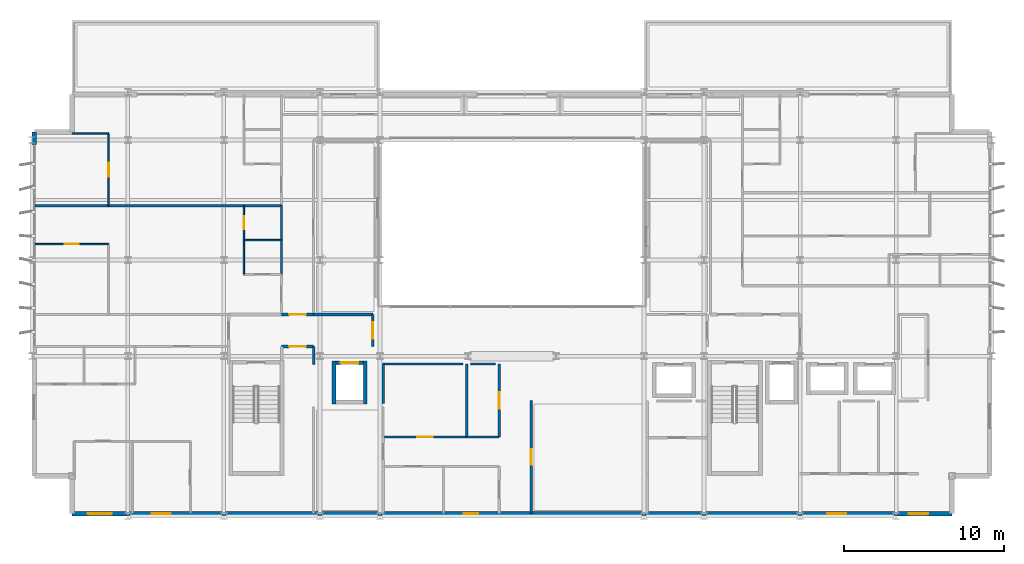
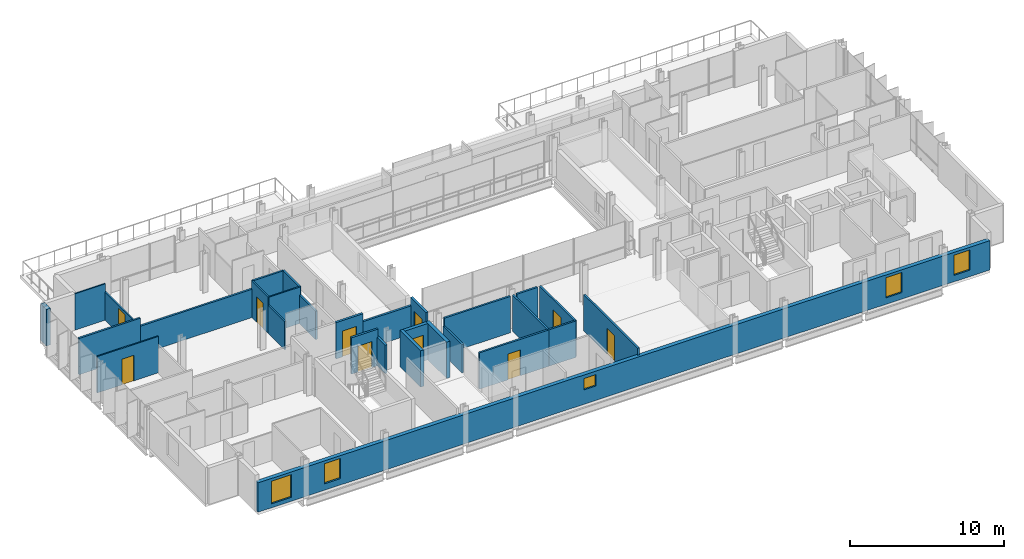
# One storey, part 29 of 38: 29 walls, 10 doors, 5 windows, 15 openings.
"""IFC4 building model written with IfcOpenShell, lengths in metres."""

from ifc_helpers import new_model, si_unit, direction, frame, frame_2d, origin, place, context, subcontext, project, spatial, rectangle, extrude, material, layer, layer_set, type_object, element, fill, save


model = new_model("IFC4")

# Units and contexts
model_context = context("Model", 3, precision=1e-05, world=origin(), true_north=direction((0.0, 1.0)))
body_context = subcontext(model_context, "Body", "Model", "MODEL_VIEW")
ifc_project = project(units=[si_unit("LENGTHUNIT", "METRE"), si_unit("AREAUNIT", "SQUARE_METRE"), si_unit("VOLUMEUNIT", "CUBIC_METRE"), si_unit("PLANEANGLEUNIT", "RADIAN"), si_unit("MASSUNIT", "GRAM", prefix="KILO")], contexts=[model_context])

# Site, building, storey
site_placement = place(None, origin())
site = spatial("IfcSite", under=ifc_project, at=site_placement, CompositionType="ELEMENT")
building_placement = place(site_placement, origin())
building = spatial("IfcBuilding", under=site, at=building_placement, Name="Brevholm Reach", CompositionType="ELEMENT")
storey_placement = place(building_placement, frame((0.0, 0.0, 172.800048828125)))
storey = spatial("IfcBuildingStorey", under=building, at=storey_placement, Name="L52", CompositionType="ELEMENT", Elevation=172.800048828125)

# Walls
ifc_material_1 = material(Name="Concrete C45/55", Category="concrete")
ifc_layer_1 = layer(ifc_material_1, 0.239990234375)
ifc_layer_set_1 = layer_set([ifc_layer_1], Name="Concrete C45/55")
wall_type_1 = type_object("IfcWallType", Name="WAL-COR-240", PredefinedType="SHEAR", material=ifc_layer_set_1)
for number, where, z_axis, x_axis, name in (
    (1, (18.8701171875, 7.0, 0.0), (0.0, 0.0, 1.0), (0.0, 1.0, 0.0), "L52 Lift FFL-1 Shaft Wall W"),
    (2, (20.830078125, 7.0, 0.0), (0.0, 0.0, 1.0), (0.0, 1.0, 0.0), "L52 Lift FFL-1 Shaft Wall E"),
):
    element("IfcWall", number, at=place(storey_placement, frame(where, z_axis=z_axis, x_axis=x_axis)), inside=storey, type_object=wall_type_1, Name=name, PredefinedType="SHEAR", context=body_context, shape_type="SweptSolid", body=[
        extrude(rectangle(XDim=2.699951171875, YDim=0.239990234375, at=frame_2d((1.35009765625, 0.0))), origin(), (0.0, 0.0, 1.0), 2.889892578125),
    ])

# Wall, opening, door
wall_1_placement = place(storey_placement, frame((18.989990234375, 9.580078125, 0.0), z_axis=(0.0, 0.0, 1.0), x_axis=(1.0, 0.0, 0.0)))
wall_1 = element("IfcWall", 3, at=wall_1_placement, inside=storey, type_object=wall_type_1, Name="L52 Lift FFL-1 Shaft Wall N", PredefinedType="SHEAR", context=body_context, shape_type="SweptSolid", body=[
    extrude(rectangle(XDim=1.719970703125, YDim=0.239990234375, at=frame_2d((0.85986328125, 0.0))), origin(), (0.0, 0.0, 1.0), 2.889892578125),
])
opening_1_placement = place(wall_1_placement, frame((0.31005859375, 0.0, 0.0)))
opening_1 = element("IfcOpeningElement", 4, at=opening_1_placement, cuts=wall_1, Name="Opening LD-FFL-1", PredefinedType="OPENING", context=body_context, shape_type="SweptSolid", body=[
    extrude(rectangle(XDim=1.10009765625, YDim=2.06005859375, at=frame_2d((0.550048828125, 1.030029296875))), frame((0.0, 0.1298828125, 0.0), z_axis=(0.0, -1.0, 0.0), x_axis=(1.0, 0.0, 0.0)), (0.0, 0.0, 1.0), 0.260009765625),
])
ifc_material_2 = material(Name="Brushed Stainless Steel Fire-Rated Sliding Lift Door", Category="steel")
door_type_1 = type_object("IfcDoorType", Name="DOR-LFT-1100", OperationType="NOTDEFINED", PredefinedType="DOOR", material=ifc_material_2)
door_1_placement = place(opening_1_placement, origin())
door_1 = element("IfcDoor", 5, at=door_1_placement, inside=storey, type_object=door_type_1, Name="L52 Lift FFL-1 Sliding Landing Door", OperationType="SLIDING_TO_RIGHT", OverallHeight=2.06005859375, OverallWidth=1.10009765625, PredefinedType="DOOR", context=body_context, shape_type="SweptSolid", body=[
    extrude(rectangle(XDim=1.10009765625, YDim=2.06005859375, at=frame_2d((0.550048828125, 1.030029296875))), frame((0.0, 0.02490234375, 0.0), z_axis=(0.0, -1.0, 0.0), x_axis=(1.0, 0.0, 0.0)), (0.0, 0.0, 1.0), 0.050048828125),
])
fill(opening_1, door_1)

# Wall, openings, windows
ifc_material_3 = material(Name="Concrete C40/50", Category="concrete")
ifc_layer_2 = layer(ifc_material_3, 0.300048828125)
ifc_layer_set_2 = layer_set([ifc_layer_2], Name="Concrete C40/50")
wall_type_2 = type_object("IfcWallType", Name="WAL-EXT-300", PredefinedType="STANDARD", material=ifc_layer_set_2)
wall_2_placement = place(storey_placement, frame((2.5, 0.14990234375, 0.0), z_axis=(0.0, 0.0, 1.0), x_axis=(1.0, 0.0, 0.0)))
wall_2 = element("IfcWall", 6, at=wall_2_placement, inside=storey, type_object=wall_type_2, Name="L52 Facade Wall WAL-L52-S", PredefinedType="STANDARD", context=body_context, shape_type="SweptSolid", body=[
    extrude(rectangle(XDim=55.0, YDim=0.300048828125, at=frame_2d((27.5, 0.0))), origin(), (0.0, 0.0, 1.0), 2.331787109375),
])
opening_2_placement = place(wall_2_placement, frame((1.0, 0.0, 0.31201171875)))
opening_2 = element("IfcOpeningElement", 7, at=opening_2_placement, cuts=wall_2, Name="Opening WN-05", PredefinedType="OPENING", context=body_context, shape_type="SweptSolid", body=[
    extrude(rectangle(XDim=1.5, YDim=1.800048828125, at=frame_2d((0.75, 0.89990234375))), frame((0.0, 0.159912109375, 0.0), z_axis=(0.0, -1.0, 0.0), x_axis=(1.0, 0.0, 0.0)), (0.0, 0.0, 1.0), 0.320068359375),
])
opening_3_placement = place(wall_2_placement, frame((24.5, 0.0, 1.14990234375)))
opening_3 = element("IfcOpeningElement", 8, at=opening_3_placement, cuts=wall_2, Name="Opening WN-09", PredefinedType="OPENING", context=body_context, shape_type="SweptSolid", body=[
    extrude(rectangle(XDim=0.89990234375, YDim=0.89990234375, at=frame_2d((0.449951171875, 0.449951171875))), frame((0.0, 0.159912109375, 0.0), z_axis=(0.0, -1.0, 0.0), x_axis=(1.0, 0.0, 0.0)), (0.0, 0.0, 1.0), 0.320068359375),
])
opening_4_placement = place(wall_2_placement, frame((47.199951171875, 0.0, 0.511962890625)))
opening_4 = element("IfcOpeningElement", 9, at=opening_4_placement, cuts=wall_2, Name="Opening WN-08", PredefinedType="OPENING", context=body_context, shape_type="SweptSolid", body=[
    extrude(rectangle(XDim=1.199951171875, YDim=1.60009765625, at=frame_2d((0.60009765625, 0.800048828125))), frame((0.0, 0.159912109375, 0.0), z_axis=(0.0, -1.0, 0.0), x_axis=(1.0, 0.0, 0.0)), (0.0, 0.0, 1.0), 0.320068359375),
])
opening_5_placement = place(wall_2_placement, frame((52.300048828125, 0.0, 0.511962890625)))
opening_5 = element("IfcOpeningElement", 10, at=opening_5_placement, cuts=wall_2, Name="Opening WN-08", PredefinedType="OPENING", context=body_context, shape_type="SweptSolid", body=[
    extrude(rectangle(XDim=1.199951171875, YDim=1.60009765625, at=frame_2d((0.60009765625, 0.800048828125))), frame((0.0, 0.159912109375, 0.0), z_axis=(0.0, -1.0, 0.0), x_axis=(1.0, 0.0, 0.0)), (0.0, 0.0, 1.0), 0.320068359375),
])
opening_6_placement = place(wall_2_placement, frame((4.987548828125, 0.0, 0.511962890625)))
opening_6 = element("IfcOpeningElement", 11, at=opening_6_placement, cuts=wall_2, Name="Opening WN-08", PredefinedType="OPENING", context=body_context, shape_type="SweptSolid", body=[
    extrude(rectangle(XDim=1.199951171875, YDim=1.60009765625, at=frame_2d((0.60009765625, 0.800048828125))), frame((0.0, 0.159912109375, 0.0), z_axis=(0.0, -1.0, 0.0), x_axis=(1.0, 0.0, 0.0)), (0.0, 0.0, 1.0), 0.320068359375),
])
ifc_material_4 = material(Name="Dark Anodised Aluminium and Solar-Control IGU Glass", Category="aluminium")
window_type_1 = type_object("IfcWindowType", Name="WIN-POR-0900", PartitioningType="SINGLE_PANEL", PredefinedType="WINDOW", material=ifc_material_4)
window_1_placement = place(opening_3_placement, origin())
window_1 = element("IfcWindow", 12, at=window_1_placement, inside=storey, type_object=window_type_1, Name="L52 Window WIN-L52-S-POR", OverallHeight=0.89990234375, OverallWidth=0.89990234375, PartitioningType="SINGLE_PANEL", PredefinedType="WINDOW", context=body_context, shape_type="SweptSolid", body=[
    extrude(rectangle(XDim=0.89990234375, YDim=0.89990234375, at=frame_2d((0.449951171875, 0.449951171875))), frame((0.0, 0.030029296875, 0.0), z_axis=(0.0, -1.0, 0.0), x_axis=(1.0, 0.0, 0.0)), (0.0, 0.0, 1.0), 0.06005859375),
])
fill(opening_3, window_1)
ifc_material_5 = material(Name="Dark Anodised Aluminium and Solar-Control IGU Glass", Category="aluminium")
window_type_2 = type_object("IfcWindowType", Name="WIN-RES-1200", PartitioningType="SINGLE_PANEL", PredefinedType="WINDOW", material=ifc_material_5)
window_2_placement = place(opening_4_placement, origin())
window_2 = element("IfcWindow", 13, at=window_2_placement, inside=storey, type_object=window_type_2, Name="L52 Window WIN-L52-S-E1", OverallHeight=1.60009765625, OverallWidth=1.199951171875, PartitioningType="SINGLE_PANEL", PredefinedType="WINDOW", context=body_context, shape_type="SweptSolid", body=[
    extrude(rectangle(XDim=1.199951171875, YDim=1.60009765625, at=frame_2d((0.60009765625, 0.800048828125))), frame((0.0, 0.030029296875, 0.0), z_axis=(0.0, -1.0, 0.0), x_axis=(1.0, 0.0, 0.0)), (0.0, 0.0, 1.0), 0.06005859375),
])
fill(opening_4, window_2)
window_3_placement = place(opening_5_placement, origin())
window_3 = element("IfcWindow", 14, at=window_3_placement, inside=storey, type_object=window_type_2, Name="L52 Window WIN-L52-S-E2", OverallHeight=1.60009765625, OverallWidth=1.199951171875, PartitioningType="SINGLE_PANEL", PredefinedType="WINDOW", context=body_context, shape_type="SweptSolid", body=[
    extrude(rectangle(XDim=1.199951171875, YDim=1.60009765625, at=frame_2d((0.60009765625, 0.800048828125))), frame((0.0, 0.030029296875, 0.0), z_axis=(0.0, -1.0, 0.0), x_axis=(1.0, 0.0, 0.0)), (0.0, 0.0, 1.0), 0.06005859375),
])
fill(opening_5, window_3)
window_4_placement = place(opening_6_placement, origin())
window_4 = element("IfcWindow", 15, at=window_4_placement, inside=storey, type_object=window_type_2, Name="L52 Bedroom Window 051", OverallHeight=1.60009765625, OverallWidth=1.199951171875, PartitioningType="SINGLE_PANEL", PredefinedType="WINDOW", context=body_context, shape_type="SweptSolid", body=[
    extrude(rectangle(XDim=1.199951171875, YDim=1.60009765625, at=frame_2d((0.60009765625, 0.800048828125))), frame((0.0, 0.030029296875, 0.0), z_axis=(0.0, -1.0, 0.0), x_axis=(1.0, 0.0, 0.0)), (0.0, 0.0, 1.0), 0.06005859375),
])
fill(opening_6, window_4)
ifc_material_6 = material(Name="Dark Anodised Aluminium and Solar-Control IGU Glass", Category="aluminium")
window_type_3 = type_object("IfcWindowType", Name="WIN-RES-1500", PartitioningType="SINGLE_PANEL", PredefinedType="WINDOW", material=ifc_material_6)
window_5_placement = place(opening_2_placement, origin())
window_5 = element("IfcWindow", 16, at=window_5_placement, inside=storey, type_object=window_type_3, Name="L52 Window WIN-L52-S-W1", OverallHeight=1.800048828125, OverallWidth=1.5, PartitioningType="SINGLE_PANEL", PredefinedType="WINDOW", context=body_context, shape_type="SweptSolid", body=[
    extrude(rectangle(XDim=1.5, YDim=1.800048828125, at=frame_2d((0.75, 0.89990234375))), frame((0.0, 0.030029296875, 0.0), z_axis=(0.0, -1.0, 0.0), x_axis=(1.0, 0.0, 0.0)), (0.0, 0.0, 1.0), 0.06005859375),
])
fill(opening_2, window_5)

# Walls
wall_3_placement = place(storey_placement, frame((0.14990234375, 24.0, 0.0), z_axis=(0.0, 0.0, 1.0), x_axis=(0.0, -1.0, 0.0)))
element("IfcWall", 17, at=wall_3_placement, inside=storey, type_object=wall_type_2, Name="L52 Facade Wall WAL-L52-W-N", PredefinedType="STANDARD", context=body_context, shape_type="SweptSolid", body=[
    extrude(rectangle(XDim=0.780029296875, YDim=0.300048828125, at=frame_2d((0.39013671875, 0.0))), origin(), (0.0, 0.0, 1.0), 2.889892578125),
])
ifc_material_7 = material(Name="Moisture-Resistant Acoustic Gypsum Stud Partition 100 mm", Category="gypsum")
ifc_layer_3 = layer(ifc_material_7, 0.10009765625)
ifc_layer_set_3 = layer_set([ifc_layer_3], Name="Moisture-Resistant Acoustic Gypsum Stud Partition 100 mm")
wall_type_3 = type_object("IfcWallType", Name="WAL-PRT-100", PredefinedType="PARTITIONING", material=ifc_layer_set_3)
wall_4_placement = place(storey_placement, frame((13.25, 17.25, 0.0), z_axis=(0.0, 0.0, 1.0), x_axis=(1.0, 0.0, 0.0)))
element("IfcWall", 18, at=wall_4_placement, inside=storey, type_object=wall_type_3, Name="L52 Internal Partition 069", PredefinedType="PARTITIONING", context=body_context, shape_type="SweptSolid", body=[
    extrude(rectangle(XDim=2.345947265625, YDim=0.10009765625, at=frame_2d((1.1728515625, 0.0))), origin(), (0.0, 0.0, 1.0), 2.889892578125),
])

# Wall, opening, door
wall_5_placement = place(storey_placement, frame((13.25, 17.25, 0.0), z_axis=(0.0, 0.0, 1.0), x_axis=(0.0, 1.0, 0.0)))
wall_5 = element("IfcWall", 19, at=wall_5_placement, inside=storey, type_object=wall_type_3, Name="L52 Internal Partition 070", PredefinedType="PARTITIONING", context=body_context, shape_type="SweptSolid", body=[
    extrude(rectangle(XDim=2.14990234375, YDim=0.10009765625, at=frame_2d((1.074951171875, 0.0))), origin(), (0.0, 0.0, 1.0), 2.889892578125),
])
opening_7_placement = place(wall_5_placement, frame((0.6650390625, 0.0, 0.0)))
opening_7 = element("IfcOpeningElement", 20, at=opening_7_placement, cuts=wall_5, Name="Opening ID-03", PredefinedType="OPENING", context=body_context, shape_type="SweptSolid", body=[
    extrude(rectangle(XDim=0.820068359375, YDim=2.02001953125, at=frame_2d((0.41015625, 1.010009765625))), frame((0.0, 0.06005859375, 0.0), z_axis=(0.0, -1.0, 0.0), x_axis=(1.0, 0.0, 0.0)), (0.0, 0.0, 1.0), 0.1201171875),
])
ifc_material_8 = material(Name="Moisture-Resistant Painted Timber Internal Bathroom Door", Category="wood")
door_type_2 = type_object("IfcDoorType", Name="DOR-BATH-820", OperationType="NOTDEFINED", PredefinedType="DOOR", material=ifc_material_8)
door_2_placement = place(opening_7_placement, origin())
door_2 = element("IfcDoor", 21, at=door_2_placement, inside=storey, type_object=door_type_2, Name="L52 Internal Door 031", OperationType="SINGLE_SWING_RIGHT", OverallHeight=2.02001953125, OverallWidth=0.820068359375, PredefinedType="DOOR", context=body_context, shape_type="SweptSolid", body=[
    extrude(rectangle(XDim=0.820068359375, YDim=2.02001953125, at=frame_2d((0.41015625, 1.010009765625))), frame((0.0, 0.02490234375, 0.0), z_axis=(0.0, -1.0, 0.0), x_axis=(1.0, 0.0, 0.0)), (0.0, 0.0, 1.0), 0.050048828125),
])
fill(opening_7, door_2)

# Wall
wall_6_placement = place(storey_placement, frame((13.25, 15.10009765625, 0.0), z_axis=(0.0, 0.0, 1.0), x_axis=(0.0, 1.0, 0.0)))
element("IfcWall", 22, at=wall_6_placement, inside=storey, type_object=wall_type_3, Name="L52 Internal Partition 073", PredefinedType="PARTITIONING", context=body_context, shape_type="SweptSolid", body=[
    extrude(rectangle(XDim=2.14599609375, YDim=0.10009765625, at=frame_2d((1.072998046875, 0.0))), origin(), (0.0, 0.0, 1.0), 2.252685546875),
])

# Wall, opening, door
wall_7_placement = place(storey_placement, frame((0.199951171875, 17.0, 0.0), z_axis=(0.0, 0.0, 1.0), x_axis=(1.0, 0.0, 0.0)))
wall_7 = element("IfcWall", 23, at=wall_7_placement, inside=storey, type_object=wall_type_3, Name="L52 Internal Partition 075", PredefinedType="PARTITIONING", context=body_context, shape_type="SweptSolid", body=[
    extrude(rectangle(XDim=4.60009765625, YDim=0.10009765625, at=frame_2d((2.300048828125, 0.0))), origin(), (0.0, 0.0, 1.0), 2.889892578125),
])
opening_8_placement = place(wall_7_placement, frame((1.860107421875, 0.0, 0.0)))
opening_8 = element("IfcOpeningElement", 24, at=opening_8_placement, cuts=wall_7, Name="Opening ID-01", PredefinedType="OPENING", context=body_context, shape_type="SweptSolid", body=[
    extrude(rectangle(XDim=0.8798828125, YDim=2.0400390625, at=frame_2d((0.43994140625, 1.02001953125))), frame((0.0, 0.06005859375, 0.0), z_axis=(0.0, -1.0, 0.0), x_axis=(1.0, 0.0, 0.0)), (0.0, 0.0, 1.0), 0.1201171875),
])
ifc_material_9 = material(Name="Lacquered Ash Solid-Core Acoustic Internal Door", Category="timber")
door_type_3 = type_object("IfcDoorType", Name="DOR-INT-880", OperationType="NOTDEFINED", PredefinedType="DOOR", material=ifc_material_9)
door_3_placement = place(opening_8_placement, origin())
door_3 = element("IfcDoor", 25, at=door_3_placement, inside=storey, type_object=door_type_3, Name="L52 Internal Door 033", OperationType="SINGLE_SWING_RIGHT", OverallHeight=2.0400390625, OverallWidth=0.8798828125, PredefinedType="DOOR", context=body_context, shape_type="SweptSolid", body=[
    extrude(rectangle(XDim=0.8798828125, YDim=2.0400390625, at=frame_2d((0.43994140625, 1.02001953125))), frame((0.0, 0.02490234375, 0.0), z_axis=(0.0, -1.0, 0.0), x_axis=(1.0, 0.0, 0.0)), (0.0, 0.0, 1.0), 0.050048828125),
])
fill(opening_8, door_3)

# Wall
wall_8_placement = place(storey_placement, frame((2.52001953125, 23.89990234375, 0.0), z_axis=(0.0, 0.0, 1.0), x_axis=(1.0, 0.0, 0.0)))
element("IfcWall", 26, at=wall_8_placement, inside=storey, type_object=wall_type_3, Name="L52 Internal Partition 085", PredefinedType="PARTITIONING", context=body_context, shape_type="SweptSolid", body=[
    extrude(rectangle(XDim=2.280029296875, YDim=0.10009765625, at=frame_2d((1.14013671875, 0.0))), origin(), (0.0, 0.0, 1.0), 2.889892578125),
])

# Wall, opening, door
wall_9_placement = place(storey_placement, frame((4.800048828125, 19.404052734375, 0.0), z_axis=(0.0, 0.0, 1.0), x_axis=(0.0, 1.0, 0.0)))
wall_9 = element("IfcWall", 27, at=wall_9_placement, inside=storey, type_object=wall_type_3, Name="L52 Internal Partition 086", PredefinedType="PARTITIONING", context=body_context, shape_type="SweptSolid", body=[
    extrude(rectangle(XDim=4.495849609375, YDim=0.10009765625, at=frame_2d((2.248046875, 0.0))), origin(), (0.0, 0.0, 1.0), 2.252685546875),
])
opening_9_placement = place(wall_9_placement, frame((1.80810546875, 0.0, 0.0)))
opening_9 = element("IfcOpeningElement", 28, at=opening_9_placement, cuts=wall_9, Name="Opening ID-01", PredefinedType="OPENING", context=body_context, shape_type="SweptSolid", body=[
    extrude(rectangle(XDim=0.8798828125, YDim=2.0400390625, at=frame_2d((0.43994140625, 1.02001953125))), frame((0.0, 0.06005859375, 0.0), z_axis=(0.0, -1.0, 0.0), x_axis=(1.0, 0.0, 0.0)), (0.0, 0.0, 1.0), 0.1201171875),
])
door_4_placement = place(opening_9_placement, origin())
door_4 = element("IfcDoor", 29, at=door_4_placement, inside=storey, type_object=door_type_3, Name="L52 Internal Door 036", OperationType="SINGLE_SWING_LEFT", OverallHeight=2.0400390625, OverallWidth=0.8798828125, PredefinedType="DOOR", context=body_context, shape_type="SweptSolid", body=[
    extrude(rectangle(XDim=0.8798828125, YDim=2.0400390625, at=frame_2d((0.43994140625, 1.02001953125))), frame((0.0, 0.02490234375, 0.0), z_axis=(0.0, -1.0, 0.0), x_axis=(1.0, 0.0, 0.0)), (0.0, 0.0, 1.0), 0.050048828125),
])
fill(opening_9, door_4)

ifc_material_10 = material(Name="Twin-Stud Acoustic Fire-Rated Gypsum Partition 140 mm", Category="gypsum")
ifc_layer_4 = layer(ifc_material_10, 0.139892578125)
ifc_layer_set_4 = layer_set([ifc_layer_4], Name="Twin-Stud Acoustic Fire-Rated Gypsum Partition 140 mm")
wall_type_4 = type_object("IfcWallType", Name="WAL-PRT-140", PredefinedType="PARTITIONING", material=ifc_layer_set_4)
wall_10_placement = place(storey_placement, frame((29.199951171875, 4.942626953125, 0.0), z_axis=(0.0, 0.0, 1.0), x_axis=(0.0, 1.0, 0.0)))
wall_10 = element("IfcWall", 30, at=wall_10_placement, inside=storey, type_object=wall_type_4, Name="L52 Internal Partition 002", PredefinedType="PARTITIONING", context=body_context, shape_type="SweptSolid", body=[
    extrude(rectangle(XDim=4.568603515625, YDim=0.139892578125, at=frame_2d((2.2841796875, 0.0))), origin(), (0.0, 0.0, 1.0), 2.889892578125),
])
opening_10_placement = place(wall_10_placement, frame((1.75927734375, 0.0, 0.0)))
opening_10 = element("IfcOpeningElement", 31, at=opening_10_placement, cuts=wall_10, Name="Opening FD-01", PredefinedType="OPENING", context=body_context, shape_type="SweptSolid", body=[
    extrude(rectangle(XDim=1.050048828125, YDim=2.06005859375, at=frame_2d((0.52490234375, 1.030029296875))), frame((0.0, 0.079833984375, 0.0), z_axis=(0.0, -1.0, 0.0), x_axis=(1.0, 0.0, 0.0)), (0.0, 0.0, 1.0), 0.159912109375),
])
ifc_material_11 = material(Name="Hardwood-Lipped Steel-Core Fire and Smoke Door", Category="steel")
door_type_4 = type_object("IfcDoorType", Name="DOR-INT-FD60S", OperationType="NOTDEFINED", PredefinedType="DOOR", material=ifc_material_11)
door_5_placement = place(opening_10_placement, origin())
door_5 = element("IfcDoor", 32, at=door_5_placement, inside=storey, type_object=door_type_4, Name="L52 Internal Door 002", OperationType="SINGLE_SWING_LEFT", OverallHeight=2.06005859375, OverallWidth=1.050048828125, PredefinedType="DOOR", context=body_context, shape_type="SweptSolid", body=[
    extrude(rectangle(XDim=1.050048828125, YDim=2.06005859375, at=frame_2d((0.52490234375, 1.030029296875))), frame((0.0, 0.02490234375, 0.0), z_axis=(0.0, -1.0, 0.0), x_axis=(1.0, 0.0, 0.0)), (0.0, 0.0, 1.0), 0.050048828125),
])
fill(opening_10, door_5)

wall_11_placement = place(storey_placement, frame((31.199951171875, 0.179931640625, 0.0), z_axis=(0.0, 0.0, 1.0), x_axis=(0.0, 1.0, 0.0)))
wall_11 = element("IfcWall", 33, at=wall_11_placement, inside=storey, type_object=wall_type_4, Name="L52 Internal Partition 003", PredefinedType="PARTITIONING", context=body_context, shape_type="SweptSolid", body=[
    extrude(rectangle(XDim=7.03125, YDim=0.139892578125, at=frame_2d((3.515625, 0.0))), origin(), (0.0, 0.0, 1.0), 2.889892578125),
])
opening_11_placement = place(wall_11_placement, frame((3.04052734375, 0.0, 0.0)))
opening_11 = element("IfcOpeningElement", 34, at=opening_11_placement, cuts=wall_11, Name="Opening ID-30", PredefinedType="OPENING", context=body_context, shape_type="SweptSolid", body=[
    extrude(rectangle(XDim=0.949951171875, YDim=2.050048828125, at=frame_2d((0.47509765625, 1.02490234375))), frame((0.0, 0.079833984375, 0.0), z_axis=(0.0, -1.0, 0.0), x_axis=(1.0, 0.0, 0.0)), (0.0, 0.0, 1.0), 0.159912109375),
])
ifc_material_12 = material(Name="European Oak Veneered Solid-Core Fire Entrance Door", Category="timber")
door_type_5 = type_object("IfcDoorType", Name="DOR-FLT-FD30S", OperationType="NOTDEFINED", PredefinedType="DOOR", material=ifc_material_12)
door_6_placement = place(opening_11_placement, origin())
door_6 = element("IfcDoor", 35, at=door_6_placement, inside=storey, type_object=door_type_5, Name="L52 Internal Door 003", OperationType="SINGLE_SWING_RIGHT", OverallHeight=2.050048828125, OverallWidth=0.949951171875, PredefinedType="DOOR", context=body_context, shape_type="SweptSolid", body=[
    extrude(rectangle(XDim=0.949951171875, YDim=2.050048828125, at=frame_2d((0.47509765625, 1.02490234375))), frame((0.0, 0.02490234375, 0.0), z_axis=(0.0, -1.0, 0.0), x_axis=(1.0, 0.0, 0.0)), (0.0, 0.0, 1.0), 0.050048828125),
])
fill(opening_11, door_6)

wall_12_placement = place(storey_placement, frame((21.949951171875, 4.949951171875, 0.0), z_axis=(0.0, 0.0, 1.0), x_axis=(1.0, 0.0, 0.0)))
wall_12 = element("IfcWall", 36, at=wall_12_placement, inside=storey, type_object=wall_type_4, Name="L52 Internal Partition 006", PredefinedType="PARTITIONING", context=body_context, shape_type="SweptSolid", body=[
    extrude(rectangle(XDim=5.2314453125, YDim=0.139892578125, at=frame_2d((2.61572265625, 0.0))), origin(), (0.0, 0.0, 1.0), 2.889892578125),
])
opening_12_placement = place(wall_12_placement, frame((2.140625, 0.0, 0.0)))
opening_12 = element("IfcOpeningElement", 37, at=opening_12_placement, cuts=wall_12, Name="Opening ID-30", PredefinedType="OPENING", context=body_context, shape_type="SweptSolid", body=[
    extrude(rectangle(XDim=0.949951171875, YDim=2.050048828125, at=frame_2d((0.47509765625, 1.02490234375))), frame((0.0, 0.079833984375, 0.0), z_axis=(0.0, -1.0, 0.0), x_axis=(1.0, 0.0, 0.0)), (0.0, 0.0, 1.0), 0.159912109375),
])
door_7_placement = place(opening_12_placement, origin())
door_7 = element("IfcDoor", 38, at=door_7_placement, inside=storey, type_object=door_type_5, Name="L52 Internal Door 005", OperationType="SINGLE_SWING_RIGHT", OverallHeight=2.050048828125, OverallWidth=0.949951171875, PredefinedType="DOOR", context=body_context, shape_type="SweptSolid", body=[
    extrude(rectangle(XDim=0.949951171875, YDim=2.050048828125, at=frame_2d((0.47509765625, 1.02490234375))), frame((0.0, 0.02490234375, 0.0), z_axis=(0.0, -1.0, 0.0), x_axis=(1.0, 0.0, 0.0)), (0.0, 0.0, 1.0), 0.050048828125),
])
fill(opening_12, door_7)

# Walls
wall_13_placement = place(storey_placement, frame((27.16259765625, 4.949951171875, 0.0), z_axis=(0.0, 0.0, 1.0), x_axis=(1.0, 0.0, 0.0)))
element("IfcWall", 39, at=wall_13_placement, inside=storey, type_object=wall_type_4, Name="L52 Internal Partition 007", PredefinedType="PARTITIONING", context=body_context, shape_type="SweptSolid", body=[
    extrude(rectangle(XDim=2.033447265625, YDim=0.139892578125, at=frame_2d((1.0166015625, 0.0))), origin(), (0.0, 0.0, 1.0), 2.889892578125),
])
wall_14_placement = place(storey_placement, frame((27.169921875, 4.9541015625, 0.0), z_axis=(0.0, 0.0, 1.0), x_axis=(0.0, 1.0, 0.0)))
element("IfcWall", 40, at=wall_14_placement, inside=storey, type_object=wall_type_4, Name="L52 Internal Partition 011", PredefinedType="PARTITIONING", context=body_context, shape_type="SweptSolid", body=[
    extrude(rectangle(XDim=4.5458984375, YDim=0.139892578125, at=frame_2d((2.27294921875, 0.0))), origin(), (0.0, 0.0, 1.0), 2.889892578125),
])
wall_15_placement = place(storey_placement, frame((15.60009765625, 17.23876953125, 0.0), z_axis=(0.0, 0.0, 1.0), x_axis=(0.0, 1.0, 0.0)))
element("IfcWall", 41, at=wall_15_placement, inside=storey, type_object=wall_type_4, Name="L52 Internal Partition 041", PredefinedType="PARTITIONING", context=body_context, shape_type="SweptSolid", body=[
    extrude(rectangle(XDim=2.172607421875, YDim=0.139892578125, at=frame_2d((1.08642578125, 0.0))), origin(), (0.0, 0.0, 1.0), 2.889892578125),
])
wall_16_placement = place(storey_placement, frame((15.60009765625, 15.088623046875, 0.0), z_axis=(0.0, 0.0, 1.0), x_axis=(0.0, 1.0, 0.0)))
element("IfcWall", 42, at=wall_16_placement, inside=storey, type_object=wall_type_4, Name="L52 Internal Partition 042", PredefinedType="PARTITIONING", context=body_context, shape_type="SweptSolid", body=[
    extrude(rectangle(XDim=2.168701171875, YDim=0.139892578125, at=frame_2d((1.08447265625, 0.0))), origin(), (0.0, 0.0, 1.0), 2.252685546875),
])
wall_17_placement = place(storey_placement, frame((13.25, 19.39990234375, 0.0), z_axis=(0.0, 0.0, 1.0), x_axis=(1.0, 0.0, 0.0)))
element("IfcWall", 43, at=wall_17_placement, inside=storey, type_object=wall_type_4, Name="L52 Internal Partition 071", PredefinedType="PARTITIONING", context=body_context, shape_type="SweptSolid", body=[
    extrude(rectangle(XDim=2.345947265625, YDim=0.139892578125, at=frame_2d((1.1728515625, 0.0))), origin(), (0.0, 0.0, 1.0), 2.889892578125),
])
wall_18_placement = place(storey_placement, frame((0.199951171875, 19.39990234375, 0.0), z_axis=(0.0, 0.0, 1.0), x_axis=(1.0, 0.0, 0.0)))
element("IfcWall", 44, at=wall_18_placement, inside=storey, type_object=wall_type_4, Name="L52 Internal Partition 076", PredefinedType="PARTITIONING", context=body_context, shape_type="SweptSolid", body=[
    extrude(rectangle(XDim=4.611328125, YDim=0.139892578125, at=frame_2d((2.3056640625, 0.0))), origin(), (0.0, 0.0, 1.0), 2.889892578125),
])
wall_19_placement = place(storey_placement, frame((4.792724609375, 19.39990234375, 0.0), z_axis=(0.0, 0.0, 1.0), x_axis=(1.0, 0.0, 0.0)))
element("IfcWall", 45, at=wall_19_placement, inside=storey, type_object=wall_type_4, Name="L52 Internal Partition 077", PredefinedType="PARTITIONING", context=body_context, shape_type="SweptSolid", body=[
    extrude(rectangle(XDim=8.453369140625, YDim=0.139892578125, at=frame_2d((4.2265625, 0.0))), origin(), (0.0, 0.0, 1.0), 2.252685546875),
])
wall_20_placement = place(storey_placement, frame((21.949951171875, 9.5, 0.0), z_axis=(0.0, 0.0, 1.0), x_axis=(1.0, 0.0, 0.0)))
element("IfcWall", 46, at=wall_20_placement, inside=storey, type_object=wall_type_4, Name="L52 Internal Partition 112", PredefinedType="PARTITIONING", context=body_context, shape_type="SweptSolid", body=[
    extrude(rectangle(XDim=4.97998046875, YDim=0.139892578125, at=frame_2d((2.489990234375, 0.0))), origin(), (0.0, 0.0, 1.0), 2.889892578125),
])
wall_21_placement = place(storey_placement, frame((21.949951171875, 7.05126953125, 0.0), z_axis=(0.0, 0.0, 1.0), x_axis=(0.0, 1.0, 0.0)))
element("IfcWall", 47, at=wall_21_placement, inside=storey, type_object=wall_type_4, Name="L52 Internal Partition 113", PredefinedType="PARTITIONING", context=body_context, shape_type="SweptSolid", body=[
    extrude(rectangle(XDim=2.44873046875, YDim=0.139892578125, at=frame_2d((1.224365234375, 0.0))), origin(), (0.0, 0.0, 1.0), 2.252685546875),
])
wall_22_placement = place(storey_placement, frame((27.409912109375, 9.5, 0.0), z_axis=(0.0, 0.0, 1.0), x_axis=(1.0, 0.0, 0.0)))
element("IfcWall", 48, at=wall_22_placement, inside=storey, type_object=wall_type_4, Name="L52 Internal Partition 114", PredefinedType="PARTITIONING", context=body_context, shape_type="SweptSolid", body=[
    extrude(rectangle(XDim=1.550048828125, YDim=0.139892578125, at=frame_2d((0.77490234375, 0.0))), origin(), (0.0, 0.0, 1.0), 2.889892578125),
])
ifc_material_13 = material(Name="Twin-Frame Fire-Rated Gypsum Board and Mineral Wool 160 mm", Category="gypsum")
ifc_layer_5 = layer(ifc_material_13, 0.159912109375)
ifc_layer_set_5 = layer_set([ifc_layer_5], Name="Twin-Frame Fire-Rated Gypsum Board and Mineral Wool 160 mm")
wall_type_5 = type_object("IfcWallType", Name="WAL-PRT-160", PredefinedType="PARTITIONING", material=ifc_layer_set_5)
wall_23_placement = place(storey_placement, frame((17.60009765625, 9.48876953125, 0.0), z_axis=(0.0, 0.0, 1.0), x_axis=(0.0, 1.0, 0.0)))
element("IfcWall", 49, at=wall_23_placement, inside=storey, type_object=wall_type_5, Name="L52 Internal Partition 022", PredefinedType="PARTITIONING", context=body_context, shape_type="SweptSolid", body=[
    extrude(rectangle(XDim=1.111328125, YDim=0.159912109375, at=frame_2d((0.5556640625, 0.0))), origin(), (0.0, 0.0, 1.0), 2.252685546875),
])

# Wall, opening, door
wall_24_placement = place(storey_placement, frame((15.60009765625, 10.60009765625, 0.0), z_axis=(0.0, 0.0, 1.0), x_axis=(1.0, 0.0, 0.0)))
wall_24 = element("IfcWall", 50, at=wall_24_placement, inside=storey, type_object=wall_type_5, Name="L52 Internal Partition 023", PredefinedType="PARTITIONING", context=body_context, shape_type="SweptSolid", body=[
    extrude(rectangle(XDim=2.0, YDim=0.159912109375, at=frame_2d((1.0, 0.0))), origin(), (0.0, 0.0, 1.0), 2.889892578125),
])
opening_13_placement = place(wall_24_placement, frame((0.47509765625, 0.0, 0.0)))
opening_13 = element("IfcOpeningElement", 51, at=opening_13_placement, cuts=wall_24, Name="Opening FD-01", PredefinedType="OPENING", context=body_context, shape_type="SweptSolid", body=[
    extrude(rectangle(XDim=1.050048828125, YDim=2.06005859375, at=frame_2d((0.52490234375, 1.030029296875))), frame((0.0, 0.08984375, 0.0), z_axis=(0.0, -1.0, 0.0), x_axis=(1.0, 0.0, 0.0)), (0.0, 0.0, 1.0), 0.179931640625),
])
door_8_placement = place(opening_13_placement, origin())
door_8 = element("IfcDoor", 52, at=door_8_placement, inside=storey, type_object=door_type_4, Name="L52 Internal Door 011", OperationType="SINGLE_SWING_RIGHT", OverallHeight=2.06005859375, OverallWidth=1.050048828125, PredefinedType="DOOR", context=body_context, shape_type="SweptSolid", body=[
    extrude(rectangle(XDim=1.050048828125, YDim=2.06005859375, at=frame_2d((0.52490234375, 1.030029296875))), frame((0.0, 0.02490234375, 0.0), z_axis=(0.0, -1.0, 0.0), x_axis=(1.0, 0.0, 0.0)), (0.0, 0.0, 1.0), 0.050048828125),
])
fill(opening_13, door_8)

wall_25_placement = place(storey_placement, frame((21.300048828125, 10.588623046875, 0.0), z_axis=(0.0, 0.0, 1.0), x_axis=(0.0, 1.0, 0.0)))
wall_25 = element("IfcWall", 53, at=wall_25_placement, inside=storey, type_object=wall_type_5, Name="L52 Internal Partition 028", PredefinedType="PARTITIONING", context=body_context, shape_type="SweptSolid", body=[
    extrude(rectangle(XDim=2.011474609375, YDim=0.159912109375, at=frame_2d((1.005859375, 0.0))), origin(), (0.0, 0.0, 1.0), 2.889892578125),
])
opening_14_placement = place(wall_25_placement, frame((0.480712890625, 0.0, 0.0)))
opening_14 = element("IfcOpeningElement", 54, at=opening_14_placement, cuts=wall_25, Name="Opening FD-01", PredefinedType="OPENING", context=body_context, shape_type="SweptSolid", body=[
    extrude(rectangle(XDim=1.050048828125, YDim=2.06005859375, at=frame_2d((0.52490234375, 1.030029296875))), frame((0.0, 0.08984375, 0.0), z_axis=(0.0, -1.0, 0.0), x_axis=(1.0, 0.0, 0.0)), (0.0, 0.0, 1.0), 0.179931640625),
])
door_9_placement = place(opening_14_placement, origin())
door_9 = element("IfcDoor", 55, at=door_9_placement, inside=storey, type_object=door_type_4, Name="L52 Internal Door 013", OperationType="SINGLE_SWING_RIGHT", OverallHeight=2.06005859375, OverallWidth=1.050048828125, PredefinedType="DOOR", context=body_context, shape_type="SweptSolid", body=[
    extrude(rectangle(XDim=1.050048828125, YDim=2.06005859375, at=frame_2d((0.52490234375, 1.030029296875))), frame((0.0, 0.02490234375, 0.0), z_axis=(0.0, -1.0, 0.0), x_axis=(1.0, 0.0, 0.0)), (0.0, 0.0, 1.0), 0.050048828125),
])
fill(opening_14, door_9)

wall_26_placement = place(storey_placement, frame((15.588623046875, 12.60009765625, 0.0), z_axis=(0.0, 0.0, 1.0), x_axis=(1.0, 0.0, 0.0)))
wall_26 = element("IfcWall", 56, at=wall_26_placement, inside=storey, type_object=wall_type_5, Name="L52 Internal Partition 029", PredefinedType="PARTITIONING", context=body_context, shape_type="SweptSolid", body=[
    extrude(rectangle(XDim=2.022705078125, YDim=0.159912109375, at=frame_2d((1.01123046875, 0.0))), origin(), (0.0, 0.0, 1.0), 2.889892578125),
])
opening_15_placement = place(wall_26_placement, frame((0.486328125, 0.0, 0.0)))
opening_15 = element("IfcOpeningElement", 57, at=opening_15_placement, cuts=wall_26, Name="Opening FD-01", PredefinedType="OPENING", context=body_context, shape_type="SweptSolid", body=[
    extrude(rectangle(XDim=1.050048828125, YDim=2.06005859375, at=frame_2d((0.52490234375, 1.030029296875))), frame((0.0, 0.08984375, 0.0), z_axis=(0.0, -1.0, 0.0), x_axis=(1.0, 0.0, 0.0)), (0.0, 0.0, 1.0), 0.179931640625),
])
door_10_placement = place(opening_15_placement, origin())
door_10 = element("IfcDoor", 58, at=door_10_placement, inside=storey, type_object=door_type_4, Name="L52 Internal Door 014", OperationType="SINGLE_SWING_LEFT", OverallHeight=2.06005859375, OverallWidth=1.050048828125, PredefinedType="DOOR", context=body_context, shape_type="SweptSolid", body=[
    extrude(rectangle(XDim=1.050048828125, YDim=2.06005859375, at=frame_2d((0.52490234375, 1.030029296875))), frame((0.0, 0.02490234375, 0.0), z_axis=(0.0, -1.0, 0.0), x_axis=(1.0, 0.0, 0.0)), (0.0, 0.0, 1.0), 0.050048828125),
])
fill(opening_15, door_10)

# Wall
wall_27_placement = place(storey_placement, frame((17.5927734375, 12.60009765625, 0.0), z_axis=(0.0, 0.0, 1.0), x_axis=(1.0, 0.0, 0.0)))
element("IfcWall", 59, at=wall_27_placement, inside=storey, type_object=wall_type_5, Name="L52 Internal Partition 033", PredefinedType="PARTITIONING", context=body_context, shape_type="SweptSolid", body=[
    extrude(rectangle(XDim=3.707275390625, YDim=0.159912109375, at=frame_2d((1.853515625, 0.0))), origin(), (0.0, 0.0, 1.0), 2.252685546875),
])

save(model, "model.ifc")
